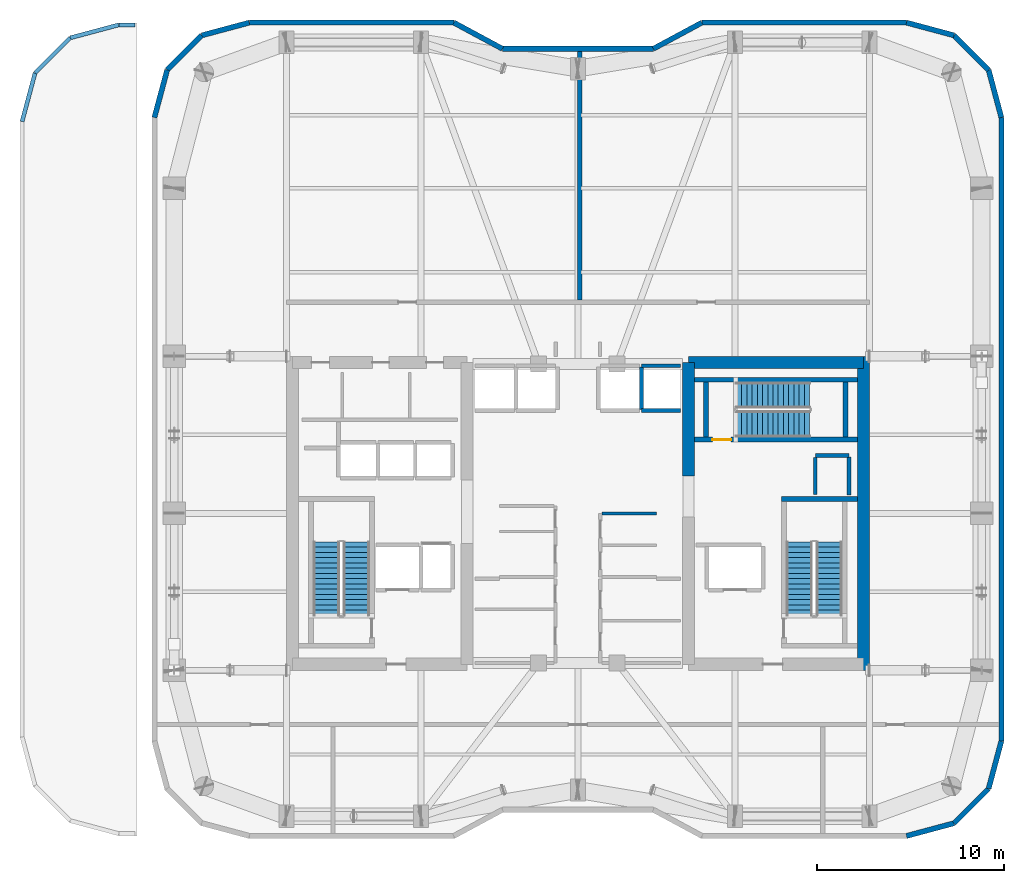
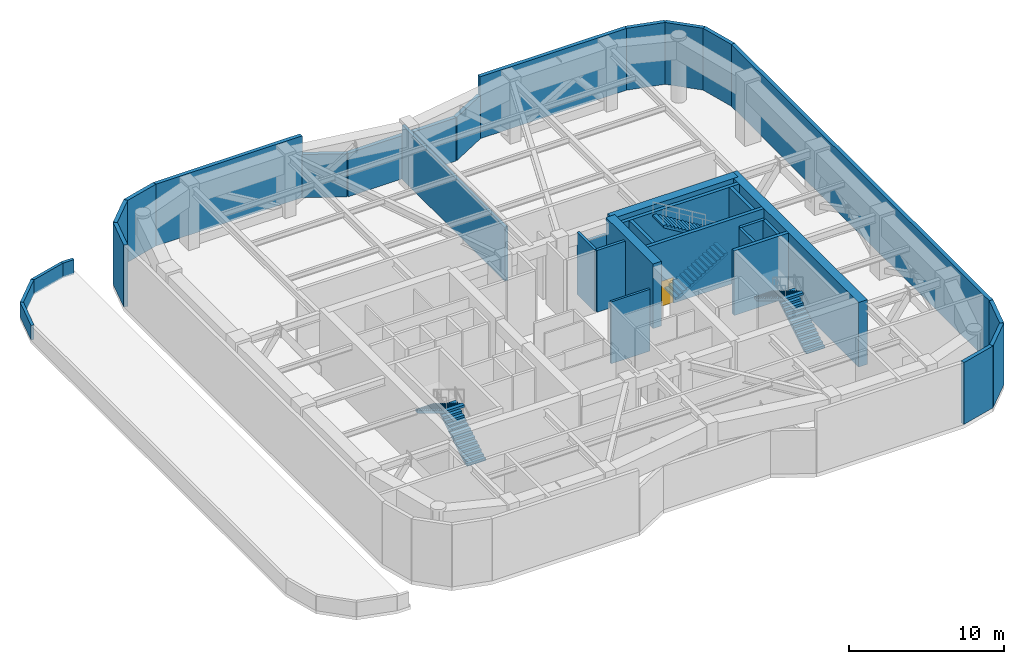
# One storey, part 13 of 16: 35 walls, 6 stair flights, 1 door, 1 opening, 3 elements without a shape of their own.
"""IFC4 building model written with IfcOpenShell, lengths in metres."""

from ifc_helpers import new_model, si_unit, direction, frame, frame_2d, origin, place, context, subcontext, project, spatial, polyline, rectangle, outline, extrude, material, layer, layer_set, type_object, element, fill, aggregate, save


model = new_model("IFC4")

# Units and contexts
model_context = context("Model", 3, precision=1e-05, world=origin(), true_north=direction((0.0, 1.0)))
body_context = subcontext(model_context, "Body", "Model", "MODEL_VIEW")
ifc_project = project(units=[si_unit("LENGTHUNIT", "METRE"), si_unit("AREAUNIT", "SQUARE_METRE"), si_unit("VOLUMEUNIT", "CUBIC_METRE"), si_unit("PLANEANGLEUNIT", "RADIAN"), si_unit("MASSUNIT", "GRAM", prefix="KILO")], contexts=[model_context])

# Site, building, storey
site_placement = place(None, origin())
site = spatial("IfcSite", under=ifc_project, at=site_placement, CompositionType="ELEMENT")
building_placement = place(site_placement, origin())
building = spatial("IfcBuilding", under=site, at=building_placement, Name="Kiyonajd Concourse Tower", CompositionType="ELEMENT")
storey_placement = place(building_placement, frame((0.0, 0.0, 209.699951171875)))
storey = spatial("IfcBuildingStorey", under=building, at=storey_placement, Name="L53", CompositionType="ELEMENT", Elevation=209.699951171875)

# Walls
ifc_material_1 = material(Name="Concrete C60/75", Category="concrete")
ifc_layer_1 = layer(ifc_material_1, 0.64990234375)
ifc_layer_set_1 = layer_set([ifc_layer_1], Name="Concrete C60/75")
wall_type_1 = type_object("IfcWallType", Name="WL-CORE-650", PredefinedType="SHEAR", material=ifc_layer_set_1)
wall_1_placement = place(storey_placement, frame((53.925048828125, 38.0, 0.0), z_axis=(0.0, 0.0, 1.0), x_axis=(0.0, 1.0, 0.0)))
element("IfcWall", 1, at=wall_1_placement, inside=storey, type_object=wall_type_1, Name="L53 East Core Inner North Shear Wall", PredefinedType="SHEAR", context=body_context, shape_type="SweptSolid", body=[
    extrude(rectangle(XDim=6.074951171875, YDim=0.64990234375, at=frame_2d((3.03759765625, 0.0))), origin(), (0.0, 0.0, 1.0), 5.10009765625),
])
wall_2_placement = place(storey_placement, frame((63.27490234375, 27.60009765625, 0.0), z_axis=(0.0, 0.0, 1.0), x_axis=(0.0, 1.0, 0.0)))
element("IfcWall", 2, at=wall_2_placement, inside=storey, type_object=wall_type_1, Name="L53 East Core Outer Shear Wall", PredefinedType="SHEAR", context=body_context, shape_type="SweptSolid", body=[
    extrude(rectangle(XDim=16.7998046875, YDim=0.64990234375, at=frame_2d((8.39990234375, 0.0))), origin(), (0.0, 0.0, 1.0), 5.10009765625),
])
wall_3_placement = place(storey_placement, frame((53.925048828125, 44.074951171875, 0.0), z_axis=(0.0, 0.0, 1.0), x_axis=(1.0, 0.0, 0.0)))
element("IfcWall", 3, at=wall_3_placement, inside=storey, type_object=wall_type_1, Name="L53 East Core North Shear Wall", PredefinedType="SHEAR", context=body_context, shape_type="SweptSolid", body=[
    extrude(rectangle(XDim=9.349853515625, YDim=0.64990234375, at=frame_2d((4.6748046875, 0.0))), origin(), (0.0, 0.0, 1.0), 5.10009765625),
])
ifc_material_2 = material(Name="Precast concrete C50/60", Category="concrete")
ifc_layer_2 = layer(ifc_material_2, 0.280029296875)
ifc_layer_set_2 = layer_set([ifc_layer_2], Name="Precast concrete C50/60")
wall_type_2 = type_object("IfcWallType", Name="WL-EXT-280", PredefinedType="SOLIDWALL", material=ifc_layer_set_2)
wall_4_placement = place(storey_placement, frame((25.340087890625, 57.181640625, 0.0), z_axis=(0.0, 0.0, 1.0), x_axis=(0.2588904131, 0.965906700466, 0.0)))
element("IfcWall", 4, at=wall_4_placement, inside=storey, type_object=wall_type_2, Name="L53 Exterior Concrete Frame Wall 01", PredefinedType="SOLIDWALL", context=body_context, shape_type="SweptSolid", body=[
    extrude(rectangle(XDim=2.6357421875, YDim=0.280029296875, at=frame_2d((1.31787109375, 0.0))), origin(), (0.0, 0.0, 1.0), 4.880126953125),
])
wall_5_placement = place(storey_placement, frame((26.0224609375, 59.7275390625, 0.0), z_axis=(0.0, 0.0, 1.0), x_axis=(0.707153437963, 0.707060121331, 0.0)))
element("IfcWall", 5, at=wall_5_placement, inside=storey, type_object=wall_type_2, Name="L53 Exterior Concrete Frame Wall 02", PredefinedType="SOLIDWALL", context=body_context, shape_type="SweptSolid", body=[
    extrude(rectangle(XDim=2.6162109375, YDim=0.280029296875, at=frame_2d((1.30810546875, 0.0))), origin(), (0.0, 0.0, 1.0), 4.880126953125),
])
wall_6_placement = place(storey_placement, frame((27.87255859375, 61.577392578125, 0.0), z_axis=(0.0, 0.0, 1.0), x_axis=(0.965883534663, 0.258976828051, 0.0)))
element("IfcWall", 6, at=wall_6_placement, inside=storey, type_object=wall_type_2, Name="L53 Exterior Concrete Frame Wall 03", PredefinedType="SOLIDWALL", context=body_context, shape_type="SweptSolid", body=[
    extrude(rectangle(XDim=2.6357421875, YDim=0.280029296875, at=frame_2d((1.31787109375, 0.0))), origin(), (0.0, 0.0, 1.0), 4.880126953125),
])
wall_7_placement = place(storey_placement, frame((30.41845703125, 62.260009765625, 0.0), z_axis=(0.0, 0.0, 1.0), x_axis=(1.0, 0.0, 0.0)))
element("IfcWall", 7, at=wall_7_placement, inside=storey, type_object=wall_type_2, Name="L53 Exterior Concrete Frame Wall 04", PredefinedType="SOLIDWALL", context=body_context, shape_type="SweptSolid", body=[
    extrude(rectangle(XDim=10.9462890625, YDim=0.280029296875, at=frame_2d((5.47314453125, 0.0))), origin(), (0.0, 0.0, 1.0), 4.880126953125),
])
wall_8_placement = place(storey_placement, frame((41.36474609375, 62.260009765625, 0.0), z_axis=(0.0, 0.0, 1.0), x_axis=(0.880473754814, -0.474094892488, 0.0)))
element("IfcWall", 8, at=wall_8_placement, inside=storey, type_object=wall_type_2, Name="L53 Exterior Concrete Frame Wall 05", PredefinedType="SOLIDWALL", context=body_context, shape_type="SweptSolid", body=[
    extrude(rectangle(XDim=2.952880859375, YDim=0.280029296875, at=frame_2d((1.4765625, 0.0))), origin(), (0.0, 0.0, 1.0), 3.4150390625),
])
wall_9_placement = place(storey_placement, frame((43.964599609375, 60.860107421875, 0.0), z_axis=(0.0, 0.0, 1.0), x_axis=(1.0, 0.0, 0.0)))
element("IfcWall", 9, at=wall_9_placement, inside=storey, type_object=wall_type_2, Name="L53 Exterior Concrete Frame Wall 06", PredefinedType="SOLIDWALL", context=body_context, shape_type="SweptSolid", body=[
    extrude(rectangle(XDim=8.07080078125, YDim=0.280029296875, at=frame_2d((4.035400390625, 0.0))), origin(), (0.0, 0.0, 1.0), 3.4150390625),
])
wall_10_placement = place(storey_placement, frame((52.035400390625, 60.860107421875, 0.0), z_axis=(0.0, 0.0, 1.0), x_axis=(0.880473754814, 0.474094892488, 0.0)))
element("IfcWall", 10, at=wall_10_placement, inside=storey, type_object=wall_type_2, Name="L53 Exterior Concrete Frame Wall 07", PredefinedType="SOLIDWALL", context=body_context, shape_type="SweptSolid", body=[
    extrude(rectangle(XDim=2.952880859375, YDim=0.280029296875, at=frame_2d((1.4765625, 0.0))), origin(), (0.0, 0.0, 1.0), 3.4150390625),
])
wall_11_placement = place(storey_placement, frame((54.63525390625, 62.260009765625, 0.0), z_axis=(0.0, 0.0, 1.0), x_axis=(1.0, 0.0, 0.0)))
element("IfcWall", 11, at=wall_11_placement, inside=storey, type_object=wall_type_2, Name="L53 Exterior Concrete Frame Wall 08", PredefinedType="SOLIDWALL", context=body_context, shape_type="SweptSolid", body=[
    extrude(rectangle(XDim=10.9462890625, YDim=0.280029296875, at=frame_2d((5.47314453125, 0.0))), origin(), (0.0, 0.0, 1.0), 4.880126953125),
])
wall_12_placement = place(storey_placement, frame((65.58154296875, 62.260009765625, 0.0), z_axis=(0.0, 0.0, 1.0), x_axis=(0.965883534663, -0.258976828051, 0.0)))
element("IfcWall", 12, at=wall_12_placement, inside=storey, type_object=wall_type_2, Name="L53 Exterior Concrete Frame Wall 09", PredefinedType="SOLIDWALL", context=body_context, shape_type="SweptSolid", body=[
    extrude(rectangle(XDim=2.6357421875, YDim=0.280029296875, at=frame_2d((1.31787109375, 0.0))), origin(), (0.0, 0.0, 1.0), 4.880126953125),
])
wall_13_placement = place(storey_placement, frame((68.12744140625, 61.577392578125, 0.0), z_axis=(0.0, 0.0, 1.0), x_axis=(0.707153437963, -0.707060121331, 0.0)))
element("IfcWall", 13, at=wall_13_placement, inside=storey, type_object=wall_type_2, Name="L53 Exterior Concrete Frame Wall 10", PredefinedType="SOLIDWALL", context=body_context, shape_type="SweptSolid", body=[
    extrude(rectangle(XDim=2.6162109375, YDim=0.280029296875, at=frame_2d((1.30810546875, 0.0))), origin(), (0.0, 0.0, 1.0), 4.880126953125),
])
wall_14_placement = place(storey_placement, frame((69.9775390625, 59.7275390625, 0.0), z_axis=(0.0, 0.0, 1.0), x_axis=(0.2588904131, -0.965906700466, 0.0)))
element("IfcWall", 14, at=wall_14_placement, inside=storey, type_object=wall_type_2, Name="L53 Exterior Concrete Frame Wall 11", PredefinedType="SOLIDWALL", context=body_context, shape_type="SweptSolid", body=[
    extrude(rectangle(XDim=2.6357421875, YDim=0.280029296875, at=frame_2d((1.31787109375, 0.0))), origin(), (0.0, 0.0, 1.0), 4.880126953125),
])
wall_15_placement = place(storey_placement, frame((70.659912109375, 57.181640625, 0.0), z_axis=(0.0, 0.0, 1.0), x_axis=(0.0, -1.0, 0.0)))
element("IfcWall", 15, at=wall_15_placement, inside=storey, type_object=wall_type_2, Name="L53 Exterior Concrete Frame Wall 12", PredefinedType="SOLIDWALL", context=body_context, shape_type="SweptSolid", body=[
    extrude(rectangle(XDim=33.36328125, YDim=0.280029296875, at=frame_2d((16.681640625, 0.0))), origin(), (0.0, 0.0, 1.0), 4.880126953125),
])
wall_16_placement = place(storey_placement, frame((70.659912109375, 23.818359375, 0.0), z_axis=(0.0, 0.0, 1.0), x_axis=(-0.2588904131, -0.965906700466, 0.0)))
element("IfcWall", 16, at=wall_16_placement, inside=storey, type_object=wall_type_2, Name="L53 Exterior Concrete Frame Wall 13", PredefinedType="SOLIDWALL", context=body_context, shape_type="SweptSolid", body=[
    extrude(rectangle(XDim=2.6357421875, YDim=0.280029296875, at=frame_2d((1.31787109375, 0.0))), origin(), (0.0, 0.0, 1.0), 4.880126953125),
])
wall_17_placement = place(storey_placement, frame((69.9775390625, 21.2724609375, 0.0), z_axis=(0.0, 0.0, 1.0), x_axis=(-0.707153437963, -0.707060121331, 0.0)))
element("IfcWall", 17, at=wall_17_placement, inside=storey, type_object=wall_type_2, Name="L53 Exterior Concrete Frame Wall 14", PredefinedType="SOLIDWALL", context=body_context, shape_type="SweptSolid", body=[
    extrude(rectangle(XDim=2.6162109375, YDim=0.280029296875, at=frame_2d((1.30810546875, 0.0))), origin(), (0.0, 0.0, 1.0), 4.880126953125),
])
wall_18_placement = place(storey_placement, frame((68.12744140625, 19.422607421875, 0.0), z_axis=(0.0, 0.0, 1.0), x_axis=(-0.965883534663, -0.258976828051, 0.0)))
element("IfcWall", 18, at=wall_18_placement, inside=storey, type_object=wall_type_2, Name="L53 Exterior Concrete Frame Wall 15", PredefinedType="SOLIDWALL", context=body_context, shape_type="SweptSolid", body=[
    extrude(rectangle(XDim=2.6357421875, YDim=0.280029296875, at=frame_2d((1.31787109375, 0.0))), origin(), (0.0, 0.0, 1.0), 4.880126953125),
])
ifc_material_3 = material(Name="Gypsum Board on Cold-Formed Steel Stud", Category="steel")
ifc_layer_3 = layer(ifc_material_3, 0.22998046875)
ifc_layer_set_3 = layer_set([ifc_layer_3], Name="Gypsum Board on Cold-Formed Steel Stud")
wall_type_3 = type_object("IfcWallType", Name="WL-FIRE-230", PredefinedType="PARTITIONING", material=ifc_layer_set_3)
wall_19_placement = place(storey_placement, frame((48.10009765625, 47.4169921875, 0.0), z_axis=(0.0, 0.0, 1.0), x_axis=(0.0, 1.0, 0.0)))
element("IfcWall", 19, at=wall_19_placement, inside=storey, type_object=wall_type_3, Name="L53 Interior Partition Wall", PredefinedType="PARTITIONING", context=body_context, shape_type="SweptSolid", body=[
    extrude(rectangle(XDim=13.30810546875, YDim=0.22998046875, at=frame_2d((6.654052734375, 0.0))), origin(), (0.0, 0.0, 1.0), 4.254150390625),
])
ifc_layer_4 = layer(ifc_material_2, 0.219970703125)
ifc_layer_set_4 = layer_set([ifc_layer_4], Name="Precast concrete C50/60")
wall_type_4 = type_object("IfcWallType", Name="WL-PAR-220", PredefinedType="PARAPET", material=ifc_layer_set_4)
wall_20_placement = place(storey_placement, frame((18.95556640625, 59.565185546875, 0.0), z_axis=(0.0, 0.0, 1.0), x_axis=(0.707152710632, 0.707060848758, 0.0)))
element("IfcWall", 20, at=wall_20_placement, inside=storey, type_object=wall_type_4, Name="L53 Setback Roof Parapet 01", PredefinedType="PARAPET", context=body_context, shape_type="SweptSolid", body=[
    extrude(rectangle(XDim=2.65771484375, YDim=0.219970703125, at=frame_2d((1.328857421875, 0.0))), origin(), (0.0, 0.0, 1.0), 1.150146484375),
])
wall_21_placement = place(storey_placement, frame((20.8349609375, 61.4443359375, 0.0), z_axis=(0.0, 0.0, 1.0), x_axis=(0.966019276072, 0.258470033577, 0.0)))
element("IfcWall", 21, at=wall_21_placement, inside=storey, type_object=wall_type_4, Name="L53 Setback Roof Parapet 02", PredefinedType="PARAPET", context=body_context, shape_type="SweptSolid", body=[
    extrude(rectangle(XDim=2.691162109375, YDim=0.219970703125, at=frame_2d((1.345703125, 0.0))), origin(), (0.0, 0.0, 1.0), 1.150146484375),
])
wall_22_placement = place(storey_placement, frame((23.4345703125, 62.139892578125, 0.0), z_axis=(0.0, 0.0, 1.0), x_axis=(1.0, 0.0, 0.0)))
element("IfcWall", 22, at=wall_22_placement, inside=storey, type_object=wall_type_4, Name="L53 Setback Roof Parapet 03", PredefinedType="PARAPET", context=body_context, shape_type="SweptSolid", body=[
    extrude(rectangle(XDim=0.85546875, YDim=0.219970703125, at=frame_2d((0.427734375, 0.0))), origin(), (0.0, 0.0, 1.0), 1.150146484375),
])
wall_23_placement = place(storey_placement, frame((18.260009765625, 56.965576171875, 0.0), z_axis=(0.0, 0.0, 1.0), x_axis=(0.258470033577, 0.966019276072, 0.0)))
element("IfcWall", 23, at=wall_23_placement, inside=storey, type_object=wall_type_4, Name="L53 Setback Roof Parapet 10", PredefinedType="PARAPET", context=body_context, shape_type="SweptSolid", body=[
    extrude(rectangle(XDim=2.691162109375, YDim=0.219970703125, at=frame_2d((1.345703125, 0.0))), origin(), (0.0, 0.0, 1.0), 1.150146484375),
])
ifc_layer_5 = layer(ifc_material_3, 0.2099609375)
ifc_layer_set_5 = layer_set([ifc_layer_5], Name="Gypsum Board on Cold-Formed Steel Stud")
wall_type_5 = type_object("IfcWallType", Name="WL-SHAFT-210", PredefinedType="PARTITIONING", material=ifc_layer_set_5)
wall_24_placement = place(storey_placement, frame((60.719970703125, 39.10009765625, 0.0), z_axis=(0.0, 0.0, 1.0), x_axis=(1.0, 0.0, 0.0)))
element("IfcWall", 24, at=wall_24_placement, inside=storey, type_object=wall_type_5, Name="L53 Shaft Enclosure Wall", PredefinedType="PARTITIONING", context=body_context, shape_type="SweptSolid", body=[
    extrude(rectangle(XDim=1.800048828125, YDim=0.2099609375, at=frame_2d((0.89990234375, 0.0))), origin(), (0.0, 0.0, 1.0), 4.880126953125),
])
wall_25_placement = place(storey_placement, frame((60.699951171875, 37.02001953125, 0.0), z_axis=(0.0, 0.0, 1.0), x_axis=(0.0, 1.0, 0.0)))
element("IfcWall", 25, at=wall_25_placement, inside=storey, type_object=wall_type_5, Name="L53 Shaft Enclosure Wall", PredefinedType="PARTITIONING", context=body_context, shape_type="SweptSolid", body=[
    extrude(rectangle(XDim=1.9599609375, YDim=0.2099609375, at=frame_2d((0.97998046875, 0.0))), origin(), (0.0, 0.0, 1.0), 4.880126953125),
])
wall_26_placement = place(storey_placement, frame((62.5, 36.97998046875, 0.0), z_axis=(0.0, 0.0, 1.0), x_axis=(0.0, 1.0, 0.0)))
element("IfcWall", 26, at=wall_26_placement, inside=storey, type_object=wall_type_5, Name="L53 Shaft Enclosure Wall", PredefinedType="PARTITIONING", context=body_context, shape_type="SweptSolid", body=[
    extrude(rectangle(XDim=2.0400390625, YDim=0.2099609375, at=frame_2d((1.02001953125, 0.0))), origin(), (0.0, 0.0, 1.0), 4.880126953125),
])
wall_27_placement = place(storey_placement, frame((51.39990234375, 41.56005859375, 0.0), z_axis=(0.0, 0.0, 1.0), x_axis=(0.0, 1.0, 0.0)))
element("IfcWall", 27, at=wall_27_placement, inside=storey, type_object=wall_type_5, Name="L53 Shaft Enclosure Wall", PredefinedType="PARTITIONING", context=body_context, shape_type="SweptSolid", body=[
    extrude(rectangle(XDim=2.280029296875, YDim=0.2099609375, at=frame_2d((1.14013671875, 0.0))), origin(), (0.0, 0.0, 1.0), 4.880126953125),
])
wall_28_placement = place(storey_placement, frame((51.39990234375, 41.5, 0.0), z_axis=(0.0, 0.0, 1.0), x_axis=(1.0, 0.0, 0.0)))
element("IfcWall", 28, at=wall_28_placement, inside=storey, type_object=wall_type_5, Name="L53 Shaft Enclosure Wall", PredefinedType="PARTITIONING", context=body_context, shape_type="SweptSolid", body=[
    extrude(rectangle(XDim=2.10009765625, YDim=0.2099609375, at=frame_2d((1.050048828125, 0.0))), origin(), (0.0, 0.0, 1.0), 4.880126953125),
])
wall_29_placement = place(storey_placement, frame((51.39990234375, 43.89990234375, 0.0), z_axis=(0.0, 0.0, 1.0), x_axis=(1.0, 0.0, 0.0)))
element("IfcWall", 29, at=wall_29_placement, inside=storey, type_object=wall_type_5, Name="L53 Shaft Enclosure Wall", PredefinedType="PARTITIONING", context=body_context, shape_type="SweptSolid", body=[
    extrude(rectangle(XDim=2.10009765625, YDim=0.2099609375, at=frame_2d((1.050048828125, 0.0))), origin(), (0.0, 0.0, 1.0), 3.965087890625),
])
ifc_layer_6 = layer(ifc_material_3, 0.169921875)
ifc_layer_set_6 = layer_set([ifc_layer_6], Name="Gypsum Board on Cold-Formed Steel Stud")
wall_type_6 = type_object("IfcWallType", Name="WL-SMK-170", PredefinedType="PARTITIONING", material=ifc_layer_set_6)
wall_30_placement = place(storey_placement, frame((49.287109375, 36.0, 0.0), z_axis=(0.0, 0.0, 1.0), x_axis=(1.0, 0.0, 0.0)))
element("IfcWall", 30, at=wall_30_placement, inside=storey, type_object=wall_type_6, Name="L53 Interior Partition Wall", PredefinedType="PARTITIONING", context=body_context, shape_type="SweptSolid", body=[
    extrude(rectangle(XDim=2.912841796875, YDim=0.169921875, at=frame_2d((1.45654296875, 0.0))), origin(), (0.0, 0.0, 1.0), 4.880126953125),
])
ifc_material_4 = material(Name="Concrete C50/60", Category="concrete")
ifc_layer_7 = layer(ifc_material_4, 0.260009765625)
ifc_layer_set_7 = layer_set([ifc_layer_7], Name="Concrete C50/60")
wall_type_7 = type_object("IfcWallType", Name="WL-STAIR-260", PredefinedType="SHEAR", material=ifc_layer_set_7)
wall_31_placement = place(storey_placement, frame((58.889892578125, 36.780029296875, 0.0), z_axis=(0.0, 0.0, 1.0), x_axis=(1.0, 0.0, 0.0)))
element("IfcWall", 31, at=wall_31_placement, inside=storey, type_object=wall_type_7, Name="L53 Stair ST2 Structural North Wall", PredefinedType="SHEAR", context=body_context, shape_type="SweptSolid", body=[
    extrude(rectangle(XDim=4.06005859375, YDim=0.260009765625, at=frame_2d((2.030029296875, 0.0))), origin(), (0.0, 0.0, 1.0), 5.10009765625),
])

# Wall, opening, door
wall_32_placement = place(storey_placement, frame((54.25, 39.949951171875, 0.0), z_axis=(0.0, 0.0, 1.0), x_axis=(1.0, 0.0, 0.0)))
wall_32 = element("IfcWall", 32, at=wall_32_placement, inside=storey, type_object=wall_type_7, Name="L53 Stair ST3 Structural South Wall", PredefinedType="SHEAR", context=body_context, shape_type="SweptSolid", body=[
    extrude(rectangle(XDim=8.699951171875, YDim=0.260009765625, at=frame_2d((4.35009765625, 0.0))), origin(), (0.0, 0.0, 1.0), 5.10009765625),
])
opening_placement = place(wall_32_placement, frame((0.949951171875, 0.0, 0.0)))
opening = element("IfcOpeningElement", 33, at=opening_placement, cuts=wall_32, Name="Opening DF1", PredefinedType="OPENING", context=body_context, shape_type="SweptSolid", body=[
    extrude(rectangle(XDim=1.0, YDim=2.0400390625, at=frame_2d((0.5, 1.02001953125))), frame((0.0, 0.139892578125, 0.0), z_axis=(0.0, -1.0, 0.0), x_axis=(1.0, 0.0, 0.0)), (0.0, 0.0, 1.0), 0.280029296875),
])
ifc_material_5 = material(Name="Brushed Stainless Steel Cab Assembly", Category="steel")
door_type = type_object("IfcDoorType", Name="DR-FD90-1000", OperationType="NOTDEFINED", PredefinedType="DOOR", material=ifc_material_5)
door_placement = place(opening_placement, origin())
door = element("IfcDoor", 34, at=door_placement, inside=storey, type_object=door_type, Name="L53 Stair ST3 Enclosure Door", OperationType="SINGLE_SWING_LEFT", OverallHeight=2.0400390625, OverallWidth=1.0, PredefinedType="DOOR", context=body_context, shape_type="SweptSolid", body=[
    extrude(rectangle(XDim=1.0, YDim=2.0400390625, at=frame_2d((0.5, 1.02001953125))), frame((0.0, 0.02490234375, 0.0), z_axis=(0.0, -1.0, 0.0), x_axis=(1.0, 0.0, 0.0)), (0.0, 0.0, 1.0), 0.050048828125),
])
fill(opening, door)

# Walls
wall_33_placement = place(storey_placement, frame((54.25, 43.14990234375, 0.0), z_axis=(0.0, 0.0, 1.0), x_axis=(1.0, 0.0, 0.0)))
element("IfcWall", 35, at=wall_33_placement, inside=storey, type_object=wall_type_7, Name="L53 Stair ST3 Structural North Wall", PredefinedType="SHEAR", context=body_context, shape_type="SweptSolid", body=[
    extrude(rectangle(XDim=8.699951171875, YDim=0.260009765625, at=frame_2d((4.35009765625, 0.0))), origin(), (0.0, 0.0, 1.0), 5.10009765625),
])
for number, where, z_axis, x_axis, name in (
    (36, (54.85009765625, 40.080078125, 0.0), (0.0, 0.0, 1.0), (0.0, 1.0, 0.0), "L53 Stair ST3 Structural West Wall"),
    (37, (62.31005859375, 40.080078125, 0.0), (0.0, 0.0, 1.0), (0.0, 1.0, 0.0), "L53 Stair ST3 Structural East Wall"),
):
    element("IfcWall", number, at=place(storey_placement, frame(where, z_axis=z_axis, x_axis=x_axis)), inside=storey, type_object=wall_type_7, Name=name, PredefinedType="SHEAR", context=body_context, shape_type="SweptSolid", body=[
        extrude(rectangle(XDim=2.93994140625, YDim=0.260009765625, at=frame_2d((1.469970703125, 0.0))), origin(), (0.0, 0.0, 1.0), 5.10009765625),
    ])

# Stair, stair flights
ifc_material_6 = material(Name="Concrete C40/50", Category="concrete")
stair_type = type_object("IfcStairType", Name="ST-DLG-30R", PredefinedType="HALF_TURN_STAIR", material=ifc_material_6)
stair_1_placement = place(storey_placement, origin())
stair_1 = element("IfcStair", 38, at=stair_1_placement, inside=storey, type_object=stair_type, Name="L53 Protected Exit Stair ST1", PredefinedType="HALF_TURN_STAIR")
stair_flight_type = type_object("IfcStairFlightType", Name="SF-STR-30R", PredefinedType="STRAIGHT", material=ifc_material_6)
stair_flight_1_placement = place(storey_placement, frame((36.14990234375, 30.550048828125, 0.0), z_axis=(0.0, 0.0, 1.0), x_axis=(0.0, 1.0, 0.0)))
stair_flight_1 = element("IfcStairFlight", 39, at=stair_flight_1_placement, type_object=stair_flight_type, Name="ST1 flight 1", NumberOfRisers=15, NumberOfTreads=14, PredefinedType="STRAIGHT", RiserHeight=0.17, TreadLength=0.28, context=body_context, shape_type="SweptSolid", body=[
    extrude(outline(polyline([(0.0, 0.0), (0.0, 0.169921875), (0.280029296875, 0.169921875), (0.280029296875, 0.340087890625), (0.56005859375, 0.340087890625), (0.56005859375, 0.510009765625), (0.840087890625, 0.510009765625), (0.840087890625, 0.679931640625), (1.1201171875, 0.679931640625), (1.1201171875, 0.85009765625), (1.39990234375, 0.85009765625), (1.39990234375, 1.02001953125), (1.679931640625, 1.02001953125), (1.679931640625, 1.18994140625), (1.9599609375, 1.18994140625), (1.9599609375, 1.360107421875), (2.239990234375, 1.360107421875), (2.239990234375, 1.530029296875), (2.52001953125, 1.530029296875), (2.52001953125, 1.699951171875), (2.800048828125, 1.699951171875), (2.800048828125, 1.8701171875), (3.080078125, 1.8701171875), (3.080078125, 2.0400390625), (3.360107421875, 2.0400390625), (3.360107421875, 2.2099609375), (3.639892578125, 2.2099609375), (3.639892578125, 2.3798828125), (3.919921875, 2.3798828125), (3.919921875, 2.550048828125), (3.919921875, 2.20458984375), (0.288818359375, 0.0), (0.0, 0.0)])), frame((0.0, 0.699951171875, 0.0), z_axis=(0.0, -1.0, 0.0), x_axis=(1.0, 0.0, 0.0)), (0.0, 0.0, 1.0), 1.39990234375),
])
stair_flight_2_placement = place(storey_placement, frame((34.550048828125, 34.469970703125, 2.550048828125), z_axis=(0.0, 0.0, 1.0), x_axis=(0.0, -1.0, 0.0)))
stair_flight_2 = element("IfcStairFlight", 40, at=stair_flight_2_placement, type_object=stair_flight_type, Name="ST1 flight 2", NumberOfRisers=15, NumberOfTreads=14, PredefinedType="STRAIGHT", RiserHeight=0.17, TreadLength=0.28, context=body_context, shape_type="SweptSolid", body=[
    extrude(outline(polyline([(0.0, 0.0), (0.0, 0.169921875), (0.280029296875, 0.169921875), (0.280029296875, 0.340087890625), (0.56005859375, 0.340087890625), (0.56005859375, 0.510009765625), (0.840087890625, 0.510009765625), (0.840087890625, 0.679931640625), (1.1201171875, 0.679931640625), (1.1201171875, 0.85009765625), (1.39990234375, 0.85009765625), (1.39990234375, 1.02001953125), (1.679931640625, 1.02001953125), (1.679931640625, 1.18994140625), (1.9599609375, 1.18994140625), (1.9599609375, 1.360107421875), (2.239990234375, 1.360107421875), (2.239990234375, 1.530029296875), (2.52001953125, 1.530029296875), (2.52001953125, 1.699951171875), (2.800048828125, 1.699951171875), (2.800048828125, 1.8701171875), (3.080078125, 1.8701171875), (3.080078125, 2.0400390625), (3.360107421875, 2.0400390625), (3.360107421875, 2.2099609375), (3.639892578125, 2.2099609375), (3.639892578125, 2.3798828125), (3.919921875, 2.3798828125), (3.919921875, 2.550048828125), (3.919921875, 2.20458984375), (0.288818359375, 0.0), (0.0, 0.0)])), frame((0.0, 0.699951171875, 0.0), z_axis=(0.0, -1.0, 0.0), x_axis=(1.0, 0.0, 0.0)), (0.0, 0.0, 1.0), 1.39990234375),
])
aggregate(stair_1, [stair_flight_1, stair_flight_2])

stair_2_placement = place(storey_placement, origin())
stair_2 = element("IfcStair", 41, at=stair_2_placement, inside=storey, type_object=stair_type, Name="L53 Protected Exit Stair ST2", PredefinedType="HALF_TURN_STAIR")
stair_flight_3_placement = place(storey_placement, frame((61.449951171875, 30.550048828125, 0.0), z_axis=(0.0, 0.0, 1.0), x_axis=(0.0, 1.0, 0.0)))
stair_flight_3 = element("IfcStairFlight", 42, at=stair_flight_3_placement, type_object=stair_flight_type, Name="ST2 flight 1", NumberOfRisers=15, NumberOfTreads=14, PredefinedType="STRAIGHT", RiserHeight=0.17, TreadLength=0.28, context=body_context, shape_type="SweptSolid", body=[
    extrude(outline(polyline([(0.0, 0.0), (0.0, 0.169921875), (0.280029296875, 0.169921875), (0.280029296875, 0.340087890625), (0.56005859375, 0.340087890625), (0.56005859375, 0.510009765625), (0.840087890625, 0.510009765625), (0.840087890625, 0.679931640625), (1.1201171875, 0.679931640625), (1.1201171875, 0.85009765625), (1.39990234375, 0.85009765625), (1.39990234375, 1.02001953125), (1.679931640625, 1.02001953125), (1.679931640625, 1.18994140625), (1.9599609375, 1.18994140625), (1.9599609375, 1.360107421875), (2.239990234375, 1.360107421875), (2.239990234375, 1.530029296875), (2.52001953125, 1.530029296875), (2.52001953125, 1.699951171875), (2.800048828125, 1.699951171875), (2.800048828125, 1.8701171875), (3.080078125, 1.8701171875), (3.080078125, 2.0400390625), (3.360107421875, 2.0400390625), (3.360107421875, 2.2099609375), (3.639892578125, 2.2099609375), (3.639892578125, 2.3798828125), (3.919921875, 2.3798828125), (3.919921875, 2.550048828125), (3.919921875, 2.20458984375), (0.288818359375, 0.0), (0.0, 0.0)])), frame((0.0, 0.699951171875, 0.0), z_axis=(0.0, -1.0, 0.0), x_axis=(1.0, 0.0, 0.0)), (0.0, 0.0, 1.0), 1.39990234375),
])
stair_flight_4_placement = place(storey_placement, frame((59.85009765625, 34.469970703125, 2.550048828125), z_axis=(0.0, 0.0, 1.0), x_axis=(0.0, -1.0, 0.0)))
stair_flight_4 = element("IfcStairFlight", 43, at=stair_flight_4_placement, type_object=stair_flight_type, Name="ST2 flight 2", NumberOfRisers=15, NumberOfTreads=14, PredefinedType="STRAIGHT", RiserHeight=0.17, TreadLength=0.28, context=body_context, shape_type="SweptSolid", body=[
    extrude(outline(polyline([(0.0, 0.0), (0.0, 0.169921875), (0.280029296875, 0.169921875), (0.280029296875, 0.340087890625), (0.56005859375, 0.340087890625), (0.56005859375, 0.510009765625), (0.840087890625, 0.510009765625), (0.840087890625, 0.679931640625), (1.1201171875, 0.679931640625), (1.1201171875, 0.85009765625), (1.39990234375, 0.85009765625), (1.39990234375, 1.02001953125), (1.679931640625, 1.02001953125), (1.679931640625, 1.18994140625), (1.9599609375, 1.18994140625), (1.9599609375, 1.360107421875), (2.239990234375, 1.360107421875), (2.239990234375, 1.530029296875), (2.52001953125, 1.530029296875), (2.52001953125, 1.699951171875), (2.800048828125, 1.699951171875), (2.800048828125, 1.8701171875), (3.080078125, 1.8701171875), (3.080078125, 2.0400390625), (3.360107421875, 2.0400390625), (3.360107421875, 2.2099609375), (3.639892578125, 2.2099609375), (3.639892578125, 2.3798828125), (3.919921875, 2.3798828125), (3.919921875, 2.550048828125), (3.919921875, 2.20458984375), (0.288818359375, 0.0), (0.0, 0.0)])), frame((0.0, 0.699951171875, 0.0), z_axis=(0.0, -1.0, 0.0), x_axis=(1.0, 0.0, 0.0)), (0.0, 0.0, 1.0), 1.39990234375),
])
aggregate(stair_2, [stair_flight_3, stair_flight_4])

stair_3_placement = place(storey_placement, origin())
stair_3 = element("IfcStair", 44, at=stair_3_placement, inside=storey, type_object=stair_type, Name="L53 Protected Exit Stair ST3", PredefinedType="HALF_TURN_STAIR")
stair_flight_5_placement = place(storey_placement, frame((56.47998046875, 40.780029296875, 0.0), z_axis=(0.0, 0.0, 1.0), x_axis=(1.0, 0.0, 0.0)))
stair_flight_5 = element("IfcStairFlight", 45, at=stair_flight_5_placement, type_object=stair_flight_type, Name="ST3 flight 1", NumberOfRisers=15, NumberOfTreads=14, PredefinedType="STRAIGHT", RiserHeight=0.17, TreadLength=0.28, context=body_context, shape_type="SweptSolid", body=[
    extrude(outline(polyline([(0.0, 0.0), (0.0, 0.169921875), (0.280029296875, 0.169921875), (0.280029296875, 0.340087890625), (0.56005859375, 0.340087890625), (0.56005859375, 0.510009765625), (0.840087890625, 0.510009765625), (0.840087890625, 0.679931640625), (1.1201171875, 0.679931640625), (1.1201171875, 0.85009765625), (1.39990234375, 0.85009765625), (1.39990234375, 1.02001953125), (1.679931640625, 1.02001953125), (1.679931640625, 1.18994140625), (1.9599609375, 1.18994140625), (1.9599609375, 1.360107421875), (2.239990234375, 1.360107421875), (2.239990234375, 1.530029296875), (2.52001953125, 1.530029296875), (2.52001953125, 1.699951171875), (2.800048828125, 1.699951171875), (2.800048828125, 1.8701171875), (3.080078125, 1.8701171875), (3.080078125, 2.0400390625), (3.360107421875, 2.0400390625), (3.360107421875, 2.2099609375), (3.639892578125, 2.2099609375), (3.639892578125, 2.3798828125), (3.919921875, 2.3798828125), (3.919921875, 2.550048828125), (3.919921875, 2.20458984375), (0.288818359375, 0.0), (0.0, 0.0)])), frame((0.0, 0.699951171875, 0.0), z_axis=(0.0, -1.0, 0.0), x_axis=(1.0, 0.0, 0.0)), (0.0, 0.0, 1.0), 1.39990234375),
])
stair_flight_6_placement = place(storey_placement, frame((60.39990234375, 42.320068359375, 2.550048828125), z_axis=(0.0, 0.0, 1.0), x_axis=(-1.0, 0.0, 0.0)))
stair_flight_6 = element("IfcStairFlight", 46, at=stair_flight_6_placement, type_object=stair_flight_type, Name="ST3 flight 2", NumberOfRisers=15, NumberOfTreads=14, PredefinedType="STRAIGHT", RiserHeight=0.17, TreadLength=0.28, context=body_context, shape_type="SweptSolid", body=[
    extrude(outline(polyline([(0.0, 0.0), (0.0, 0.169921875), (0.280029296875, 0.169921875), (0.280029296875, 0.340087890625), (0.56005859375, 0.340087890625), (0.56005859375, 0.510009765625), (0.840087890625, 0.510009765625), (0.840087890625, 0.679931640625), (1.1201171875, 0.679931640625), (1.1201171875, 0.85009765625), (1.39990234375, 0.85009765625), (1.39990234375, 1.02001953125), (1.679931640625, 1.02001953125), (1.679931640625, 1.18994140625), (1.9599609375, 1.18994140625), (1.9599609375, 1.360107421875), (2.239990234375, 1.360107421875), (2.239990234375, 1.530029296875), (2.52001953125, 1.530029296875), (2.52001953125, 1.699951171875), (2.800048828125, 1.699951171875), (2.800048828125, 1.8701171875), (3.080078125, 1.8701171875), (3.080078125, 2.0400390625), (3.360107421875, 2.0400390625), (3.360107421875, 2.2099609375), (3.639892578125, 2.2099609375), (3.639892578125, 2.3798828125), (3.919921875, 2.3798828125), (3.919921875, 2.550048828125), (3.919921875, 2.20458984375), (0.288818359375, 0.0), (0.0, 0.0)])), frame((0.0, 0.699951171875, 0.0), z_axis=(0.0, -1.0, 0.0), x_axis=(1.0, 0.0, 0.0)), (0.0, 0.0, 1.0), 1.39990234375),
])
aggregate(stair_3, [stair_flight_5, stair_flight_6])

save(model, "model.ifc")
